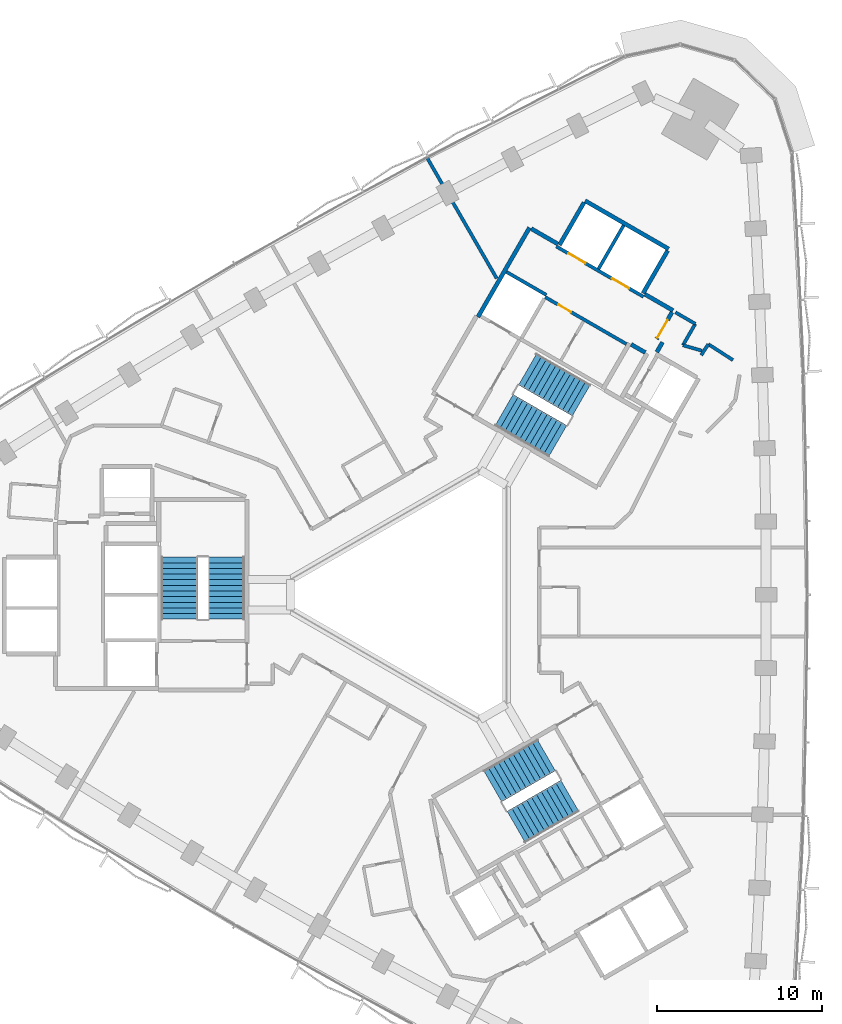
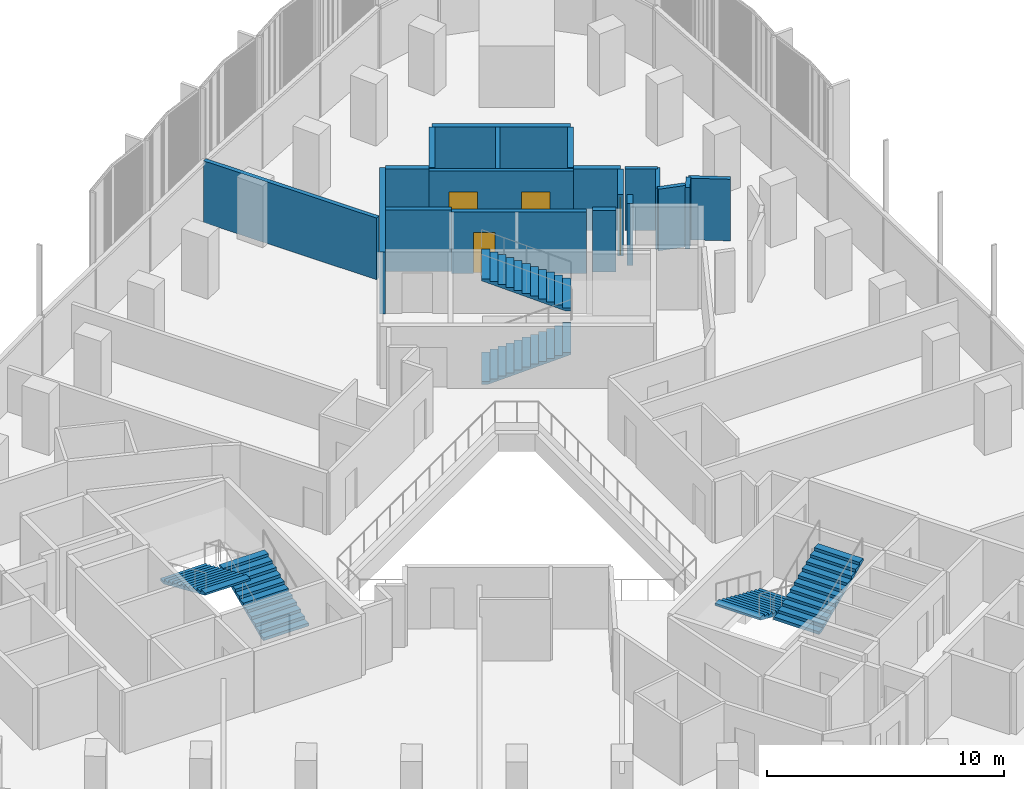
# One storey, part 11 of 15: 19 walls, 6 stair flights, 4 doors, 4 openings, 3 elements without a shape of their own.
"""IFC4 building model written with IfcOpenShell, lengths in metres."""

from ifc_helpers import new_model, si_unit, direction, frame, frame_2d, origin, place, context, subcontext, project, spatial, polyline, rectangle, outline, extrude, material, layer, layer_set, type_object, element, fill, aggregate, save


model = new_model("IFC4")

# Units and contexts
model_context = context("Model", 3, precision=1e-05, world=origin(), true_north=direction((0.0, 1.0)))
body_context = subcontext(model_context, "Body", "Model", "MODEL_VIEW")
ifc_project = project(units=[si_unit("LENGTHUNIT", "METRE"), si_unit("AREAUNIT", "SQUARE_METRE"), si_unit("VOLUMEUNIT", "CUBIC_METRE"), si_unit("PLANEANGLEUNIT", "RADIAN"), si_unit("MASSUNIT", "GRAM", prefix="KILO")], contexts=[model_context])

# Site, building, storey
site_placement = place(None, origin())
site = spatial("IfcSite", under=ifc_project, at=site_placement, CompositionType="ELEMENT")
building_placement = place(site_placement, origin())
building = spatial("IfcBuilding", under=site, at=building_placement, Name="Tamra Quay Hotel Tower", CompositionType="ELEMENT")
storey_placement = place(building_placement, frame((0.0, 0.0, 90.199951171875)))
storey = spatial("IfcBuildingStorey", under=building, at=storey_placement, Name="L21", CompositionType="ELEMENT", Elevation=90.199951171875)

# Wall, openings, doors
ifc_material_1 = material(Name="Concrete M70", Category="concrete")
ifc_layer_1 = layer(ifc_material_1, 0.199951171875)
ifc_layer_set_1 = layer_set([ifc_layer_1], Name="Concrete M70 core wall 200")
wall_type_1 = type_object("IfcWallType", Name="Concrete M70 core wall 200", PredefinedType="SHEAR", material=ifc_layer_set_1)
wall_1_placement = place(storey_placement, frame((13.209716796875, 18.07958984375, 0.0), z_axis=(0.0, 0.0, 1.0), x_axis=(-0.866030299012, 0.499991521122, 0.0)))
wall_1 = element("IfcWall", 1, at=wall_1_placement, inside=storey, type_object=wall_type_1, Name="CW2", PredefinedType="SHEAR", context=body_context, shape_type="SweptSolid", body=[
    extrude(rectangle(XDim=6.10009765625, YDim=0.199951171875, at=frame_2d((3.050048828125, 0.0))), origin(), (0.0, 0.0, 1.0), 3.175048828125),
])
opening_1_placement = place(wall_1_placement, frame((1.0, 0.0, 0.0)))
opening_1 = element("IfcOpeningElement", 2, at=opening_1_placement, cuts=wall_1, Name="Opening LD", PredefinedType="OPENING", context=body_context, shape_type="SweptSolid", body=[
    extrude(rectangle(XDim=1.199951171875, YDim=2.10009765625, at=frame_2d((0.60009765625, 1.050048828125))), frame((0.0, 0.10986328125, 0.0), z_axis=(0.0, -1.0, 0.0), x_axis=(1.0, 0.0, 0.0)), (0.0, 0.0, 1.0), 0.219970703125),
])
opening_2_placement = place(wall_1_placement, frame((4.05029296875, 0.0, 0.0)))
opening_2 = element("IfcOpeningElement", 3, at=opening_2_placement, cuts=wall_1, Name="Opening LD", PredefinedType="OPENING", context=body_context, shape_type="SweptSolid", body=[
    extrude(rectangle(XDim=1.199951171875, YDim=2.10009765625, at=frame_2d((0.60009765625, 1.050048828125))), frame((0.0, 0.10986328125, 0.0), z_axis=(0.0, -1.0, 0.0), x_axis=(1.0, 0.0, 0.0)), (0.0, 0.0, 1.0), 0.219970703125),
])
ifc_material_2 = material(Name="Landing door LD 1200 double door sliding")
door_type_1 = type_object("IfcDoorType", Name="Landing door LD 1200 double door sliding", OperationType="DOUBLE_DOOR_SLIDING", PredefinedType="DOOR", material=ifc_material_2)
door_1_placement = place(opening_1_placement, origin())
door_1 = element("IfcDoor", 4, at=door_1_placement, inside=storey, type_object=door_type_1, Name="LD", OperationType="DOUBLE_DOOR_SLIDING", OverallHeight=2.10009765625, OverallWidth=1.199951171875, PredefinedType="DOOR", context=body_context, shape_type="SweptSolid", body=[
    extrude(rectangle(XDim=1.199951171875, YDim=2.10009765625, at=frame_2d((0.60009765625, 1.050048828125))), frame((0.0, 0.02490234375, 0.0), z_axis=(0.0, -1.0, 0.0), x_axis=(1.0, 0.0, 0.0)), (0.0, 0.0, 1.0), 0.050048828125),
])
fill(opening_1, door_1)
door_2_placement = place(opening_2_placement, origin())
door_2 = element("IfcDoor", 5, at=door_2_placement, inside=storey, type_object=door_type_1, Name="LD", OperationType="DOUBLE_DOOR_SLIDING", OverallHeight=2.10009765625, OverallWidth=1.199951171875, PredefinedType="DOOR", context=body_context, shape_type="SweptSolid", body=[
    extrude(rectangle(XDim=1.199951171875, YDim=2.10009765625, at=frame_2d((0.60009765625, 1.050048828125))), frame((0.0, 0.02490234375, 0.0), z_axis=(0.0, -1.0, 0.0), x_axis=(1.0, 0.0, 0.0)), (0.0, 0.0, 1.0), 0.050048828125),
])
fill(opening_2, door_2)

# Wall, opening, door
wall_2_placement = place(storey_placement, frame((12.18505859375, 15.20703125, 0.0), z_axis=(0.0, 0.0, 1.0), x_axis=(-0.866020080793, 0.500009219579, 0.0)))
wall_2 = element("IfcWall", 6, at=wall_2_placement, inside=storey, type_object=wall_type_1, Name="CW2", PredefinedType="SHEAR", context=body_context, shape_type="SweptSolid", body=[
    extrude(rectangle(XDim=5.69921875, YDim=0.199951171875, at=frame_2d((2.849609375, 0.0))), origin(), (0.0, 0.0, 1.0), 3.175048828125),
])
opening_3_placement = place(wall_2_placement, frame((3.8740234375, 0.0, 0.0)))
opening_3 = element("IfcOpeningElement", 7, at=opening_3_placement, cuts=wall_2, Name="Opening D2", PredefinedType="OPENING", context=body_context, shape_type="SweptSolid", body=[
    extrude(rectangle(XDim=0.89990234375, YDim=2.10009765625, at=frame_2d((0.449951171875, 1.050048828125))), frame((0.0, 0.10986328125, 0.0), z_axis=(0.0, -1.0, 0.0), x_axis=(1.0, 0.0, 0.0)), (0.0, 0.0, 1.0), 0.219970703125),
])
ifc_material_3 = material(Name="Core door D2 900x2100 LH")
door_type_2 = type_object("IfcDoorType", Name="Core door D2 900x2100 LH", OperationType="NOTDEFINED", PredefinedType="DOOR", material=ifc_material_3)
door_3_placement = place(opening_3_placement, origin())
door_3 = element("IfcDoor", 8, at=door_3_placement, inside=storey, type_object=door_type_2, Name="D2", OperationType="SINGLE_SWING_LEFT", OverallHeight=2.10009765625, OverallWidth=0.89990234375, PredefinedType="DOOR", context=body_context, shape_type="SweptSolid", body=[
    extrude(rectangle(XDim=0.89990234375, YDim=2.10009765625, at=frame_2d((0.449951171875, 1.050048828125))), frame((0.0, 0.02490234375, 0.0), z_axis=(0.0, -1.0, 0.0), x_axis=(1.0, 0.0, 0.0)), (0.0, 0.0, 1.0), 0.050048828125),
])
fill(opening_3, door_3)

# Walls
wall_3_placement = place(storey_placement, frame((10.48876953125, 19.76708984375, 0.0), z_axis=(0.0, 0.0, 1.0), x_axis=(0.499946628782, 0.866056215479, 0.0)))
element("IfcWall", 9, at=wall_3_placement, inside=storey, type_object=wall_type_1, Name="CW2", PredefinedType="SHEAR", context=body_context, shape_type="SweptSolid", body=[
    extrude(rectangle(XDim=3.048095703125, YDim=0.199951171875, at=frame_2d((1.52392578125, 0.0))), origin(), (0.0, 0.0, 1.0), 3.175048828125),
])
wall_4_placement = place(storey_placement, frame((4.900634765625, 19.5859375, 0.0), z_axis=(0.0, 0.0, 1.0), x_axis=(0.866022890907, -0.500004352405, 0.0)))
element("IfcWall", 10, at=wall_4_placement, inside=storey, type_object=wall_type_1, Name="CW2", PredefinedType="SHEAR", context=body_context, shape_type="SweptSolid", body=[
    extrude(rectangle(XDim=2.798828125, YDim=0.199951171875, at=frame_2d((1.3994140625, 0.0))), origin(), (0.0, 0.0, 1.0), 3.175048828125),
])
ifc_layer_2 = layer(ifc_material_1, 0.25)
ifc_layer_set_2 = layer_set([ifc_layer_2], Name="Concrete M70 core wall 250")
wall_type_2 = type_object("IfcWallType", Name="Concrete M70 core wall 250", PredefinedType="SHEAR", material=ifc_layer_set_2)
wall_5_placement = place(storey_placement, frame((3.178955078125, 16.856201171875, 0.0), z_axis=(0.0, 0.0, 1.0), x_axis=(0.500004234368, 0.866022959057, 0.0)))
element("IfcWall", 11, at=wall_5_placement, inside=storey, type_object=wall_type_2, Name="CW1", PredefinedType="SHEAR", context=body_context, shape_type="SweptSolid", body=[
    extrude(rectangle(XDim=6.25, YDim=0.25, at=frame_2d((3.125, 0.0))), origin(), (0.0, 0.0, 1.0), 3.175048828125),
])
wall_6_placement = place(storey_placement, frame((9.672607421875, 23.9033203125, 0.0), z_axis=(0.0, 0.0, 1.0), x_axis=(0.86603616409, -0.499981362141, 0.0)))
element("IfcWall", 12, at=wall_6_placement, inside=storey, type_object=wall_type_2, Name="CW1", PredefinedType="SHEAR", context=body_context, shape_type="SweptSolid", body=[
    extrude(rectangle(XDim=5.849853515625, YDim=0.25, at=frame_2d((2.9248046875, 0.0))), origin(), (0.0, 0.0, 1.0), 3.175048828125),
])
for number, where, z_axis, x_axis, name in (
    (13, (8.12255859375, 21.21875, 0.0), (0.0, 0.0, 1.0), (0.499987686533, 0.866032512851, 0.0), "CW1"),
    (14, (14.67626953125, 20.869873046875, 0.0), (0.0, 0.0, 1.0), (-0.499987686533, -0.866032512851, 0.0), "CW1"),
):
    element("IfcWall", number, at=place(storey_placement, frame(where, z_axis=z_axis, x_axis=x_axis)), inside=storey, type_object=wall_type_2, Name=name, PredefinedType="SHEAR", context=body_context, shape_type="SweptSolid", body=[
        extrude(rectangle(XDim=2.974609375, YDim=0.25, at=frame_2d((1.4873046875, 0.0))), origin(), (0.0, 0.0, 1.0), 3.175048828125),
    ])
wall_7_placement = place(storey_placement, frame((13.29736328125, 18.23095703125, 0.0), z_axis=(0.0, 0.0, 1.0), x_axis=(0.866043531843, -0.499968599967, 0.0)))
element("IfcWall", 15, at=wall_7_placement, inside=storey, type_object=wall_type_2, Name="CW1", PredefinedType="SHEAR", context=body_context, shape_type="SweptSolid", body=[
    extrude(rectangle(XDim=1.974853515625, YDim=0.25, at=frame_2d((0.9873046875, 0.0))), origin(), (0.0, 0.0, 1.0), 3.175048828125),
])
wall_8_placement = place(storey_placement, frame((6.41259765625, 22.2060546875, 0.0), z_axis=(0.0, 0.0, 1.0), x_axis=(0.866016279763, -0.500015802937, 0.0)))
element("IfcWall", 16, at=wall_8_placement, inside=storey, type_object=wall_type_2, Name="CW1", PredefinedType="SHEAR", context=body_context, shape_type="SweptSolid", body=[
    extrude(rectangle(XDim=1.84912109375, YDim=0.25, at=frame_2d((0.924560546875, 0.0))), origin(), (0.0, 0.0, 1.0), 3.175048828125),
])

# Wall, opening, door
wall_9_placement = place(storey_placement, frame((14.94482421875, 17.13525390625, 0.0), z_axis=(0.0, 0.0, 1.0), x_axis=(-0.499983108224, -0.866035156036, 0.0)))
wall_9 = element("IfcWall", 17, at=wall_9_placement, inside=storey, type_object=wall_type_2, Name="CW1", PredefinedType="SHEAR", context=body_context, shape_type="SweptSolid", body=[
    extrude(rectangle(XDim=1.86474609375, YDim=0.25, at=frame_2d((0.932373046875, 0.0))), origin(), (0.0, 0.0, 1.0), 3.175048828125),
])
opening_4_placement = place(wall_9_placement, frame((0.53466796875, 0.0, 0.0)))
opening_4 = element("IfcOpeningElement", 18, at=opening_4_placement, cuts=wall_9, Name="Opening FD3", PredefinedType="OPENING", context=body_context, shape_type="SweptSolid", body=[
    extrude(rectangle(XDim=1.25, YDim=2.10009765625, at=frame_2d((0.625, 1.050048828125))), frame((0.0, 0.135009765625, 0.0), z_axis=(0.0, -1.0, 0.0), x_axis=(1.0, 0.0, 0.0)), (0.0, 0.0, 1.0), 0.27001953125),
])
ifc_material_4 = material(Name="Core door FD3 1250x2100 LH")
door_type_3 = type_object("IfcDoorType", Name="Core door FD3 1250x2100 LH", OperationType="NOTDEFINED", PredefinedType="DOOR", material=ifc_material_4)
door_4_placement = place(opening_4_placement, origin())
door_4 = element("IfcDoor", 19, at=door_4_placement, inside=storey, type_object=door_type_3, Name="FD3", OperationType="SINGLE_SWING_LEFT", OverallHeight=2.10009765625, OverallWidth=1.25, PredefinedType="DOOR", context=body_context, shape_type="SweptSolid", body=[
    extrude(rectangle(XDim=1.25, YDim=2.10009765625, at=frame_2d((0.625, 1.050048828125))), frame((0.0, 0.02490234375, 0.0), z_axis=(0.0, -1.0, 0.0), x_axis=(1.0, 0.0, 0.0)), (0.0, 0.0, 1.0), 0.050048828125),
])
fill(opening_4, door_4)

# Walls
wall_10_placement = place(storey_placement, frame((13.322021484375, 14.695068359375, 0.0), z_axis=(0.0, 0.0, 1.0), x_axis=(-0.866017078145, 0.500014420154, 0.0)))
element("IfcWall", 20, at=wall_10_placement, inside=storey, type_object=wall_type_2, Name="CW1", PredefinedType="SHEAR", context=body_context, shape_type="SweptSolid", body=[
    extrude(rectangle(XDim=0.9892578125, YDim=0.25, at=frame_2d((0.49462890625, 0.0))), origin(), (0.0, 0.0, 1.0), 3.175048828125),
])
wall_11_placement = place(storey_placement, frame((14.36767578125, 15.3154296875, 0.0), z_axis=(0.0, 0.0, 1.0), x_axis=(-0.499897359611, -0.866084655132, 0.0)))
element("IfcWall", 21, at=wall_11_placement, inside=storey, type_object=wall_type_2, Name="CW1", PredefinedType="SHEAR", context=body_context, shape_type="SweptSolid", body=[
    extrude(rectangle(XDim=0.684814453125, YDim=0.25, at=frame_2d((0.34228515625, 0.0))), origin(), (0.0, 0.0, 1.0), 3.175048828125),
])
ifc_material_5 = material(Name="Partition corridor wall")
ifc_layer_3 = layer(ifc_material_5, 0.199951171875)
ifc_layer_set_3 = layer_set([ifc_layer_3], Name="Partition corridor wall")
wall_type_3 = type_object("IfcWallType", Name="Partition corridor wall", PredefinedType="PARTITIONING", material=ifc_layer_set_3)
wall_12_placement = place(storey_placement, frame((15.155517578125, 17.130126953125, 0.0), z_axis=(0.0, 0.0, 1.0), x_axis=(0.865755062894, -0.500467952093, 0.0)))
element("IfcWall", 22, at=wall_12_placement, inside=storey, type_object=wall_type_3, Name="W-C", PredefinedType="PARTITIONING", context=body_context, shape_type="SweptSolid", body=[
    extrude(rectangle(XDim=1.388916015625, YDim=0.199951171875, at=frame_2d((0.6943359375, 0.0))), origin(), (0.0, 0.0, 1.0), 3.175048828125),
])
wall_13_placement = place(storey_placement, frame((15.60888671875, 15.135986328125, 0.0), z_axis=(0.0, 0.0, 1.0), x_axis=(0.499501622561, 0.866312950993, 0.0)))
element("IfcWall", 23, at=wall_13_placement, inside=storey, type_object=wall_type_3, Name="W-C", PredefinedType="PARTITIONING", context=body_context, shape_type="SweptSolid", body=[
    extrude(rectangle(XDim=1.49951171875, YDim=0.199951171875, at=frame_2d((0.749755859375, 0.0))), origin(), (0.0, 0.0, 1.0), 3.175048828125),
])
wall_14_placement = place(storey_placement, frame((15.60888671875, 15.135986328125, 0.0), z_axis=(0.0, 0.0, 1.0), x_axis=(0.961600740063, -0.27445221207, 0.0)))
element("IfcWall", 24, at=wall_14_placement, inside=storey, type_object=wall_type_3, Name="W-C", PredefinedType="PARTITIONING", context=body_context, shape_type="SweptSolid", body=[
    extrude(rectangle(XDim=1.19921875, YDim=0.199951171875, at=frame_2d((0.599609375, 0.0))), origin(), (0.0, 0.0, 1.0), 3.175048828125),
])
wall_15_placement = place(storey_placement, frame((16.718017578125, 14.534912109375, 0.0), z_axis=(0.0, 0.0, 1.0), x_axis=(0.541473887989, 0.840717567692, 0.0)))
element("IfcWall", 25, at=wall_15_placement, inside=storey, type_object=wall_type_3, Name="W-C", PredefinedType="PARTITIONING", context=body_context, shape_type="SweptSolid", body=[
    extrude(rectangle(XDim=0.792236328125, YDim=0.199951171875, at=frame_2d((0.39599609375, 0.0))), origin(), (0.0, 0.0, 1.0), 3.175048828125),
])
wall_16_placement = place(storey_placement, frame((17.14697265625, 15.200927734375, 0.0), z_axis=(0.0, 0.0, 1.0), x_axis=(0.840821179535, -0.541312981596, 0.0)))
element("IfcWall", 26, at=wall_16_placement, inside=storey, type_object=wall_type_3, Name="W-C", PredefinedType="PARTITIONING", context=body_context, shape_type="SweptSolid", body=[
    extrude(rectangle(XDim=1.777099609375, YDim=0.199951171875, at=frame_2d((0.888671875, 0.0))), origin(), (0.0, 0.0, 1.0), 3.175048828125),
])
ifc_material_6 = material(Name="Partition party wall")
ifc_layer_4 = layer(ifc_material_6, 0.199951171875)
ifc_layer_set_4 = layer_set([ifc_layer_4], Name="Partition party wall")
wall_type_4 = type_object("IfcWallType", Name="Partition party wall", PredefinedType="PARTITIONING", material=ifc_layer_set_4)
wall_17_placement = place(storey_placement, frame((0.089599609375, 26.508544921875, 0.0), z_axis=(0.0, 0.0, 1.0), x_axis=(0.5000084477, -0.866020526448, 0.0)))
element("IfcWall", 27, at=wall_17_placement, inside=storey, type_object=wall_type_4, Name="W-P", PredefinedType="PARTITIONING", context=body_context, shape_type="SweptSolid", body=[
    extrude(rectangle(XDim=8.448486328125, YDim=0.199951171875, at=frame_2d((4.22412109375, 0.0))), origin(), (0.0, 0.0, 1.0), 3.175048828125),
])

# Stair, stair flights
ifc_material_7 = material(Name="Exit stair 2200 24 risers 150.0 going 342")
stair_type = type_object("IfcStairType", Name="Exit stair 2200 24 risers 150.0 going 342", PredefinedType="HALF_TURN_STAIR", material=ifc_material_7)
stair_1_placement = place(storey_placement, origin())
stair_1 = element("IfcStair", 28, at=stair_1_placement, inside=storey, type_object=stair_type, Name="L21 Exit stair ST3", PredefinedType="HALF_TURN_STAIR")
ifc_material_8 = material(Name="Exit stair flight 2200 12 risers 150.0")
stair_flight_type = type_object("IfcStairFlightType", Name="Exit stair flight 2200 12 risers 150.0", PredefinedType="STRAIGHT", material=ifc_material_8)
stair_flight_1_placement = place(storey_placement, frame((-12.082275390625, -1.47998046875, 0.0), z_axis=(0.0, 0.0, 1.0), x_axis=(0.0, 1.0, 0.0)))
stair_flight_1 = element("IfcStairFlight", 29, at=stair_flight_1_placement, type_object=stair_flight_type, Name="ST3 flight 1", NumberOfRisers=12, NumberOfTreads=11, PredefinedType="STRAIGHT", RiserHeight=0.15, TreadLength=0.342, context=body_context, shape_type="SweptSolid", body=[
    extrude(outline(polyline([(0.0, 0.0), (0.0, 0.14990234375), (0.342041015625, 0.14990234375), (0.342041015625, 0.300048828125), (0.68408203125, 0.300048828125), (0.68408203125, 0.449951171875), (1.02587890625, 0.449951171875), (1.02587890625, 0.60009765625), (1.367919921875, 0.60009765625), (1.367919921875, 0.75), (1.7099609375, 0.75), (1.7099609375, 0.89990234375), (2.052001953125, 0.89990234375), (2.052001953125, 1.050048828125), (2.39404296875, 1.050048828125), (2.39404296875, 1.199951171875), (2.736083984375, 1.199951171875), (2.736083984375, 1.35009765625), (3.077880859375, 1.35009765625), (3.077880859375, 1.5), (3.419921875, 1.5), (3.419921875, 1.64990234375), (3.761962890625, 1.64990234375), (3.761962890625, 1.800048828125), (3.761962890625, 1.540771484375), (0.249267578125, 0.0), (0.0, 0.0)])), frame((0.0, 1.10009765625, 0.0), z_axis=(0.0, -1.0, 0.0), x_axis=(1.0, 0.0, 0.0)), (0.0, 0.0, 1.0), 2.199951171875),
])
stair_flight_2_placement = place(storey_placement, frame((-14.94140625, 2.281982421875, 1.800048828125), z_axis=(0.0, 0.0, 1.0), x_axis=(0.0, -1.0, 0.0)))
stair_flight_2 = element("IfcStairFlight", 30, at=stair_flight_2_placement, type_object=stair_flight_type, Name="ST3 flight 2", NumberOfRisers=12, NumberOfTreads=11, PredefinedType="STRAIGHT", RiserHeight=0.15, TreadLength=0.342, context=body_context, shape_type="SweptSolid", body=[
    extrude(outline(polyline([(0.0, 0.0), (0.0, 0.14990234375), (0.342041015625, 0.14990234375), (0.342041015625, 0.300048828125), (0.68408203125, 0.300048828125), (0.68408203125, 0.449951171875), (1.02587890625, 0.449951171875), (1.02587890625, 0.60009765625), (1.367919921875, 0.60009765625), (1.367919921875, 0.75), (1.7099609375, 0.75), (1.7099609375, 0.89990234375), (2.052001953125, 0.89990234375), (2.052001953125, 1.050048828125), (2.39404296875, 1.050048828125), (2.39404296875, 1.199951171875), (2.736083984375, 1.199951171875), (2.736083984375, 1.35009765625), (3.077880859375, 1.35009765625), (3.077880859375, 1.5), (3.419921875, 1.5), (3.419921875, 1.64990234375), (3.761962890625, 1.64990234375), (3.761962890625, 1.800048828125), (3.761962890625, 1.540771484375), (0.249267578125, 0.0), (0.0, 0.0)])), frame((0.0, 1.10009765625, 0.0), z_axis=(0.0, -1.0, 0.0), x_axis=(1.0, 0.0, 0.0)), (0.0, 0.0, 1.0), 2.199951171875),
])
aggregate(stair_1, [stair_flight_1, stair_flight_2])

stair_2_placement = place(storey_placement, origin())
stair_2 = element("IfcStair", 31, at=stair_2_placement, inside=storey, type_object=stair_type, Name="L21 Exit stair ST1", PredefinedType="HALF_TURN_STAIR")
stair_flight_3_placement = place(storey_placement, frame((4.75927734375, 11.20361328125, 0.0), z_axis=(0.0, 0.0, 1.0), x_axis=(0.866025403784, -0.5, 0.0)))
stair_flight_3 = element("IfcStairFlight", 32, at=stair_flight_3_placement, type_object=stair_flight_type, Name="ST1 flight 1", NumberOfRisers=12, NumberOfTreads=11, PredefinedType="STRAIGHT", RiserHeight=0.15, TreadLength=0.342, context=body_context, shape_type="SweptSolid", body=[
    extrude(outline(polyline([(0.0, 0.0), (0.0, 0.14990234375), (0.342041015625, 0.14990234375), (0.342041015625, 0.300048828125), (0.68408203125, 0.300048828125), (0.68408203125, 0.449951171875), (1.02587890625, 0.449951171875), (1.02587890625, 0.60009765625), (1.367919921875, 0.60009765625), (1.367919921875, 0.75), (1.7099609375, 0.75), (1.7099609375, 0.89990234375), (2.052001953125, 0.89990234375), (2.052001953125, 1.050048828125), (2.39404296875, 1.050048828125), (2.39404296875, 1.199951171875), (2.736083984375, 1.199951171875), (2.736083984375, 1.35009765625), (3.077880859375, 1.35009765625), (3.077880859375, 1.5), (3.419921875, 1.5), (3.419921875, 1.64990234375), (3.761962890625, 1.64990234375), (3.761962890625, 1.800048828125), (3.761962890625, 1.540771484375), (0.249267578125, 0.0), (0.0, 0.0)])), frame((0.0, 1.10009765625, 0.0), z_axis=(0.0, -1.0, 0.0), x_axis=(1.0, 0.0, 0.0)), (0.0, 0.0, 1.0), 2.199951171875),
])
stair_flight_4_placement = place(storey_placement, frame((9.44677734375, 11.798583984375, 1.800048828125), z_axis=(0.0, 0.0, 1.0), x_axis=(-0.866025403784, 0.5, 0.0)))
stair_flight_4 = element("IfcStairFlight", 33, at=stair_flight_4_placement, type_object=stair_flight_type, Name="ST1 flight 2", NumberOfRisers=12, NumberOfTreads=11, PredefinedType="STRAIGHT", RiserHeight=0.15, TreadLength=0.342, context=body_context, shape_type="SweptSolid", body=[
    extrude(outline(polyline([(0.0, 0.0), (0.0, 0.14990234375), (0.342041015625, 0.14990234375), (0.342041015625, 0.300048828125), (0.68408203125, 0.300048828125), (0.68408203125, 0.449951171875), (1.02587890625, 0.449951171875), (1.02587890625, 0.60009765625), (1.367919921875, 0.60009765625), (1.367919921875, 0.75), (1.7099609375, 0.75), (1.7099609375, 0.89990234375), (2.052001953125, 0.89990234375), (2.052001953125, 1.050048828125), (2.39404296875, 1.050048828125), (2.39404296875, 1.199951171875), (2.736083984375, 1.199951171875), (2.736083984375, 1.35009765625), (3.077880859375, 1.35009765625), (3.077880859375, 1.5), (3.419921875, 1.5), (3.419921875, 1.64990234375), (3.761962890625, 1.64990234375), (3.761962890625, 1.800048828125), (3.761962890625, 1.540771484375), (0.249267578125, 0.0), (0.0, 0.0)])), frame((0.0, 1.10009765625, 0.0), z_axis=(0.0, -1.0, 0.0), x_axis=(1.0, 0.0, 0.0)), (0.0, 0.0, 1.0), 2.199951171875),
])
aggregate(stair_2, [stair_flight_3, stair_flight_4])

stair_3_placement = place(storey_placement, origin())
stair_3 = element("IfcStair", 34, at=stair_3_placement, inside=storey, type_object=stair_type, Name="L21 Exit stair ST2", PredefinedType="HALF_TURN_STAIR")
stair_flight_5_placement = place(storey_placement, frame((7.322998046875, -9.7236328125, 0.0), z_axis=(0.0, 0.0, 1.0), x_axis=(-0.866025403784, -0.5, 0.0)))
stair_flight_5 = element("IfcStairFlight", 35, at=stair_flight_5_placement, type_object=stair_flight_type, Name="ST2 flight 1", NumberOfRisers=12, NumberOfTreads=11, PredefinedType="STRAIGHT", RiserHeight=0.15, TreadLength=0.342, context=body_context, shape_type="SweptSolid", body=[
    extrude(outline(polyline([(0.0, 0.0), (0.0, 0.14990234375), (0.342041015625, 0.14990234375), (0.342041015625, 0.300048828125), (0.68408203125, 0.300048828125), (0.68408203125, 0.449951171875), (1.02587890625, 0.449951171875), (1.02587890625, 0.60009765625), (1.367919921875, 0.60009765625), (1.367919921875, 0.75), (1.7099609375, 0.75), (1.7099609375, 0.89990234375), (2.052001953125, 0.89990234375), (2.052001953125, 1.050048828125), (2.39404296875, 1.050048828125), (2.39404296875, 1.199951171875), (2.736083984375, 1.199951171875), (2.736083984375, 1.35009765625), (3.077880859375, 1.35009765625), (3.077880859375, 1.5), (3.419921875, 1.5), (3.419921875, 1.64990234375), (3.761962890625, 1.64990234375), (3.761962890625, 1.800048828125), (3.761962890625, 1.540771484375), (0.249267578125, 0.0), (0.0, 0.0)])), frame((0.0, 1.10009765625, 0.0), z_axis=(0.0, -1.0, 0.0), x_axis=(1.0, 0.0, 0.0)), (0.0, 0.0, 1.0), 2.199951171875),
])
stair_flight_6_placement = place(storey_placement, frame((5.494384765625, -14.08056640625, 1.800048828125), z_axis=(0.0, 0.0, 1.0), x_axis=(0.866025403784, 0.5, 0.0)))
stair_flight_6 = element("IfcStairFlight", 36, at=stair_flight_6_placement, type_object=stair_flight_type, Name="ST2 flight 2", NumberOfRisers=12, NumberOfTreads=11, PredefinedType="STRAIGHT", RiserHeight=0.15, TreadLength=0.342, context=body_context, shape_type="SweptSolid", body=[
    extrude(outline(polyline([(0.0, 0.0), (0.0, 0.14990234375), (0.342041015625, 0.14990234375), (0.342041015625, 0.300048828125), (0.68408203125, 0.300048828125), (0.68408203125, 0.449951171875), (1.02587890625, 0.449951171875), (1.02587890625, 0.60009765625), (1.367919921875, 0.60009765625), (1.367919921875, 0.75), (1.7099609375, 0.75), (1.7099609375, 0.89990234375), (2.052001953125, 0.89990234375), (2.052001953125, 1.050048828125), (2.39404296875, 1.050048828125), (2.39404296875, 1.199951171875), (2.736083984375, 1.199951171875), (2.736083984375, 1.35009765625), (3.077880859375, 1.35009765625), (3.077880859375, 1.5), (3.419921875, 1.5), (3.419921875, 1.64990234375), (3.761962890625, 1.64990234375), (3.761962890625, 1.800048828125), (3.761962890625, 1.540771484375), (0.249267578125, 0.0), (0.0, 0.0)])), frame((0.0, 1.10009765625, 0.0), z_axis=(0.0, -1.0, 0.0), x_axis=(1.0, 0.0, 0.0)), (0.0, 0.0, 1.0), 2.199951171875),
])
aggregate(stair_3, [stair_flight_5, stair_flight_6])

save(model, "model.ifc")
